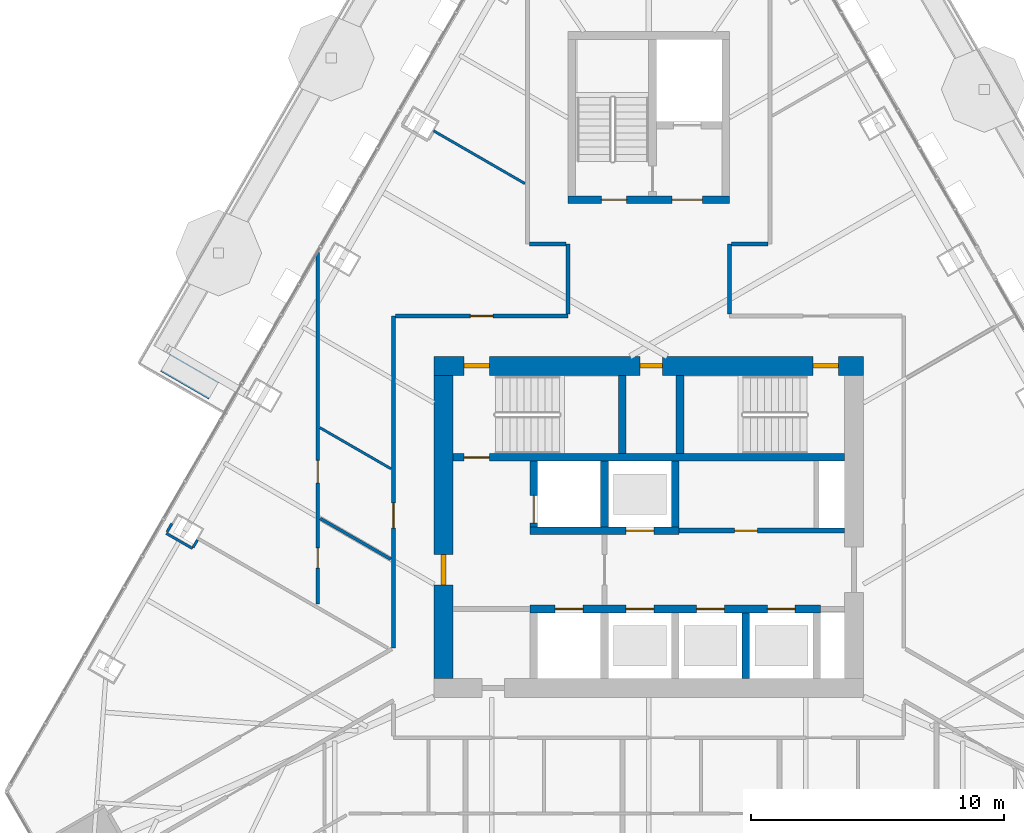
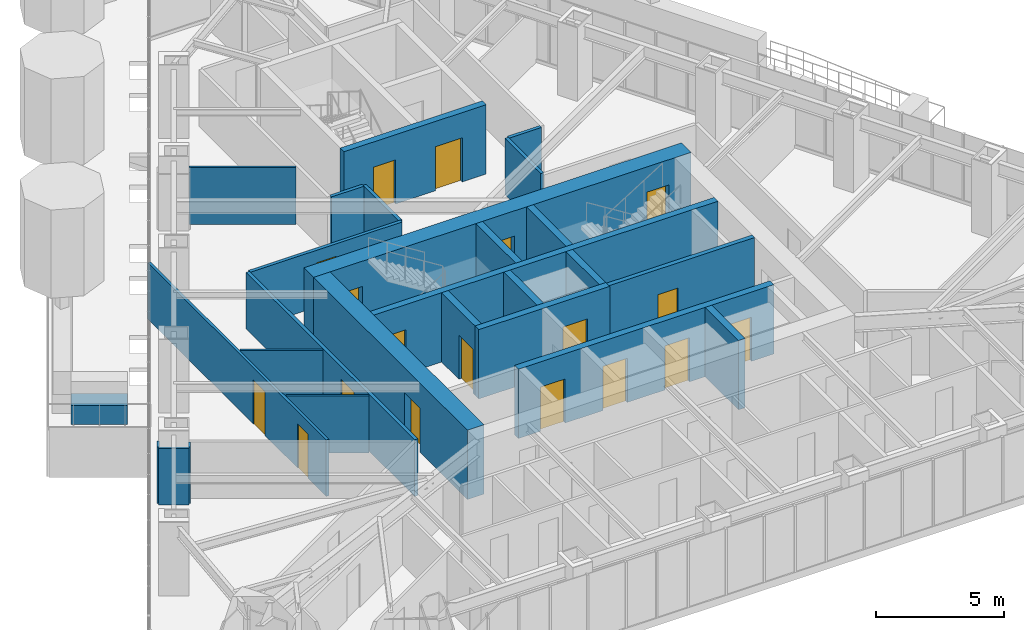
# One storey, part 17 of 22: 27 walls, 18 doors, 18 openings.
"""IFC4 building model written with IfcOpenShell, lengths in metres."""

from ifc_helpers import new_model, si_unit, direction, frame, frame_2d, origin, place, context, subcontext, project, spatial, rectangle, extrude, material, layer, layer_set, type_object, element, fill, save


model = new_model("IFC4")

# Units and contexts
model_context = context("Model", 3, precision=1e-05, world=origin(), true_north=direction((0.0, 1.0)))
body_context = subcontext(model_context, "Body", "Model", "MODEL_VIEW")
ifc_project = project(units=[si_unit("LENGTHUNIT", "METRE"), si_unit("AREAUNIT", "SQUARE_METRE"), si_unit("VOLUMEUNIT", "CUBIC_METRE"), si_unit("PLANEANGLEUNIT", "RADIAN"), si_unit("MASSUNIT", "GRAM", prefix="KILO")], contexts=[model_context])

# Site, building, storey
site_placement = place(None, origin())
site = spatial("IfcSite", under=ifc_project, at=site_placement, CompositionType="ELEMENT")
building_placement = place(site_placement, origin())
building = spatial("IfcBuilding", under=site, at=building_placement, Name="Firuza Gate Tower and Library", CompositionType="ELEMENT")
storey_placement = place(building_placement, frame((0.0, 0.0, 295.10009765625)))
storey = spatial("IfcBuildingStorey", under=building, at=storey_placement, Name="L71", CompositionType="ELEMENT", Elevation=295.10009765625)

# Wall, opening, door
ifc_material_1 = material(Name="Plasterboard on steel studs", Category="steel")
ifc_layer_1 = layer(ifc_material_1, 0.199951171875)
ifc_layer_set_1 = layer_set([ifc_layer_1], Name="Core partition 200 EI 120")
wall_type_1 = type_object("IfcWallType", Name="Core partition 200 EI 120", PredefinedType="PARTITIONING", material=ifc_layer_set_1)
wall_1_placement = place(storey_placement, frame((76.199951171875, 74.85009765625, 0.0), z_axis=(0.0, 0.0, 1.0), x_axis=(1.0, 0.0, 0.0)))
wall_1 = element("IfcWall", 1, at=wall_1_placement, inside=storey, type_object=wall_type_1, Name="Core partition L71 3", PredefinedType="PARTITIONING", context=body_context, shape_type="SweptSolid", body=[
    extrude(rectangle(XDim=6.550048828125, YDim=0.199951171875, at=frame_2d((3.27490234375, 0.0))), origin(), (0.0, 0.0, 1.0), 3.2998046875),
])
opening_1_placement = place(wall_1_placement, frame((2.199951171875, 0.0, 0.0)))
opening_1 = element("IfcOpeningElement", 2, at=opening_1_placement, cuts=wall_1, Name="Opening L71-K18", PredefinedType="OPENING", context=body_context, shape_type="SweptSolid", body=[
    extrude(rectangle(XDim=0.89990234375, YDim=2.10009765625, at=frame_2d((0.449951171875, 1.050048828125))), frame((0.0, 0.10986328125, 0.0), z_axis=(0.0, -1.0, 0.0), x_axis=(1.0, 0.0, 0.0)), (0.0, 0.0, 1.0), 0.219970703125),
])
ifc_material_2 = material(Name="Steel", Category="steel")
door_type_1 = type_object("IfcDoorType", Name="Fire door 900x2100 FD30S", OperationType="NOTDEFINED", PredefinedType="DOOR", material=ifc_material_2)
door_1_placement = place(opening_1_placement, origin())
door_1 = element("IfcDoor", 3, at=door_1_placement, inside=storey, type_object=door_type_1, Name="Door L71-K18", OperationType="SINGLE_SWING_LEFT", OverallHeight=2.10009765625, OverallWidth=0.89990234375, PredefinedType="DOOR", context=body_context, shape_type="SweptSolid", body=[
    extrude(rectangle(XDim=0.89990234375, YDim=2.10009765625, at=frame_2d((0.449951171875, 1.050048828125))), frame((0.0, 0.02490234375, 0.0), z_axis=(0.0, -1.0, 0.0), x_axis=(1.0, 0.0, 0.0)), (0.0, 0.0, 1.0), 0.050048828125),
])
fill(opening_1, door_1)

# Wall, openings, doors
ifc_material_3 = material(Name="Concrete C60/75", Category="concrete")
ifc_layer_2 = layer(ifc_material_3, 0.300048828125)
ifc_layer_set_2 = layer_set([ifc_layer_2], Name="Core wall 300 C60/75")
wall_type_2 = type_object("IfcWallType", Name="Core wall 300 C60/75", PredefinedType="SHEAR", material=ifc_layer_set_2)
wall_2_placement = place(storey_placement, frame((70.300048828125, 71.75, 0.0), z_axis=(0.0, 0.0, 1.0), x_axis=(1.0, 0.0, 0.0)))
wall_2 = element("IfcWall", 4, at=wall_2_placement, inside=storey, type_object=wall_type_2, Name="Core wall L71 5", PredefinedType="SHEAR", context=body_context, shape_type="SweptSolid", body=[
    extrude(rectangle(XDim=11.5, YDim=0.300048828125, at=frame_2d((5.75, 0.0))), origin(), (0.0, 0.0, 1.0), 3.2998046875),
])
opening_2_placement = place(wall_2_placement, frame((1.0, 0.0, 0.0)))
opening_2 = element("IfcOpeningElement", 5, at=opening_2_placement, cuts=wall_2, Name="Opening LD-FF1-L71", PredefinedType="OPENING", context=body_context, shape_type="SweptSolid", body=[
    extrude(rectangle(XDim=1.10009765625, YDim=2.10009765625, at=frame_2d((0.550048828125, 1.050048828125))), frame((0.0, 0.16015625, 0.0), z_axis=(0.0, -1.0, 0.0), x_axis=(1.0, 0.0, 0.0)), (0.0, 0.0, 1.0), 0.320068359375),
])
opening_3_placement = place(wall_2_placement, frame((3.800048828125, 0.0, 0.0)))
opening_3 = element("IfcOpeningElement", 6, at=opening_3_placement, cuts=wall_2, Name="Opening LD-HR1-L71", PredefinedType="OPENING", context=body_context, shape_type="SweptSolid", body=[
    extrude(rectangle(XDim=1.10009765625, YDim=2.10009765625, at=frame_2d((0.550048828125, 1.050048828125))), frame((0.0, 0.16015625, 0.0), z_axis=(0.0, -1.0, 0.0), x_axis=(1.0, 0.0, 0.0)), (0.0, 0.0, 1.0), 0.320068359375),
])
opening_4_placement = place(wall_2_placement, frame((6.60009765625, 0.0, 0.0)))
opening_4 = element("IfcOpeningElement", 7, at=opening_4_placement, cuts=wall_2, Name="Opening LD-HR2-L71", PredefinedType="OPENING", context=body_context, shape_type="SweptSolid", body=[
    extrude(rectangle(XDim=1.10009765625, YDim=2.10009765625, at=frame_2d((0.550048828125, 1.050048828125))), frame((0.0, 0.16015625, 0.0), z_axis=(0.0, -1.0, 0.0), x_axis=(1.0, 0.0, 0.0)), (0.0, 0.0, 1.0), 0.320068359375),
])
opening_5_placement = place(wall_2_placement, frame((9.39990234375, 0.0, 0.0)))
opening_5 = element("IfcOpeningElement", 8, at=opening_5_placement, cuts=wall_2, Name="Opening LD-HR3-L71", PredefinedType="OPENING", context=body_context, shape_type="SweptSolid", body=[
    extrude(rectangle(XDim=1.10009765625, YDim=2.10009765625, at=frame_2d((0.550048828125, 1.050048828125))), frame((0.0, 0.16015625, 0.0), z_axis=(0.0, -1.0, 0.0), x_axis=(1.0, 0.0, 0.0)), (0.0, 0.0, 1.0), 0.320068359375),
])
ifc_material_4 = material(Name="Stainless steel", Category="steel")
door_type_2 = type_object("IfcDoorType", Name="Lift landing door 1100x2100", OperationType="DOUBLE_DOOR_SLIDING", PredefinedType="DOOR", material=ifc_material_4)
door_2_placement = place(opening_2_placement, origin())
door_2 = element("IfcDoor", 9, at=door_2_placement, inside=storey, type_object=door_type_2, Name="Landing door FF1 L71", OperationType="DOUBLE_DOOR_SLIDING", OverallHeight=2.10009765625, OverallWidth=1.10009765625, PredefinedType="DOOR", context=body_context, shape_type="SweptSolid", body=[
    extrude(rectangle(XDim=1.10009765625, YDim=2.10009765625, at=frame_2d((0.550048828125, 1.050048828125))), frame((0.0, 0.02490234375, 0.0), z_axis=(0.0, -1.0, 0.0), x_axis=(1.0, 0.0, 0.0)), (0.0, 0.0, 1.0), 0.050048828125),
])
fill(opening_2, door_2)
door_3_placement = place(opening_3_placement, origin())
door_3 = element("IfcDoor", 10, at=door_3_placement, inside=storey, type_object=door_type_2, Name="Landing door HR1 L71", OperationType="DOUBLE_DOOR_SLIDING", OverallHeight=2.10009765625, OverallWidth=1.10009765625, PredefinedType="DOOR", context=body_context, shape_type="SweptSolid", body=[
    extrude(rectangle(XDim=1.10009765625, YDim=2.10009765625, at=frame_2d((0.550048828125, 1.050048828125))), frame((0.0, 0.02490234375, 0.0), z_axis=(0.0, -1.0, 0.0), x_axis=(1.0, 0.0, 0.0)), (0.0, 0.0, 1.0), 0.050048828125),
])
fill(opening_3, door_3)
door_4_placement = place(opening_4_placement, origin())
door_4 = element("IfcDoor", 11, at=door_4_placement, inside=storey, type_object=door_type_2, Name="Landing door HR2 L71", OperationType="DOUBLE_DOOR_SLIDING", OverallHeight=2.10009765625, OverallWidth=1.10009765625, PredefinedType="DOOR", context=body_context, shape_type="SweptSolid", body=[
    extrude(rectangle(XDim=1.10009765625, YDim=2.10009765625, at=frame_2d((0.550048828125, 1.050048828125))), frame((0.0, 0.02490234375, 0.0), z_axis=(0.0, -1.0, 0.0), x_axis=(1.0, 0.0, 0.0)), (0.0, 0.0, 1.0), 0.050048828125),
])
fill(opening_4, door_4)
door_5_placement = place(opening_5_placement, origin())
door_5 = element("IfcDoor", 12, at=door_5_placement, inside=storey, type_object=door_type_2, Name="Landing door HR3 L71", OperationType="DOUBLE_DOOR_SLIDING", OverallHeight=2.10009765625, OverallWidth=1.10009765625, PredefinedType="DOOR", context=body_context, shape_type="SweptSolid", body=[
    extrude(rectangle(XDim=1.10009765625, YDim=2.10009765625, at=frame_2d((0.550048828125, 1.050048828125))), frame((0.0, 0.02490234375, 0.0), z_axis=(0.0, -1.0, 0.0), x_axis=(1.0, 0.0, 0.0)), (0.0, 0.0, 1.0), 0.050048828125),
])
fill(opening_5, door_5)

# Wall, opening, door
wall_3_placement = place(storey_placement, frame((70.300048828125, 74.85009765625, 0.0), z_axis=(0.0, 0.0, 1.0), x_axis=(1.0, 0.0, 0.0)))
wall_3 = element("IfcWall", 13, at=wall_3_placement, inside=storey, type_object=wall_type_2, Name="Core wall L71 6", PredefinedType="SHEAR", context=body_context, shape_type="SweptSolid", body=[
    extrude(rectangle(XDim=5.89990234375, YDim=0.300048828125, at=frame_2d((2.949951171875, 0.0))), origin(), (0.0, 0.0, 1.0), 3.2998046875),
])
opening_6_placement = place(wall_3_placement, frame((3.800048828125, 0.0, 0.0)))
opening_6 = element("IfcOpeningElement", 14, at=opening_6_placement, cuts=wall_3, Name="Opening LD-HR4-L71", PredefinedType="OPENING", context=body_context, shape_type="SweptSolid", body=[
    extrude(rectangle(XDim=1.10009765625, YDim=2.10009765625, at=frame_2d((0.550048828125, 1.050048828125))), frame((0.0, 0.16015625, 0.0), z_axis=(0.0, -1.0, 0.0), x_axis=(1.0, 0.0, 0.0)), (0.0, 0.0, 1.0), 0.320068359375),
])
door_6_placement = place(opening_6_placement, origin())
door_6 = element("IfcDoor", 15, at=door_6_placement, inside=storey, type_object=door_type_2, Name="Landing door HR4 L71", OperationType="DOUBLE_DOOR_SLIDING", OverallHeight=2.10009765625, OverallWidth=1.10009765625, PredefinedType="DOOR", context=body_context, shape_type="SweptSolid", body=[
    extrude(rectangle(XDim=1.10009765625, YDim=2.10009765625, at=frame_2d((0.550048828125, 1.050048828125))), frame((0.0, 0.02490234375, 0.0), z_axis=(0.0, -1.0, 0.0), x_axis=(1.0, 0.0, 0.0)), (0.0, 0.0, 1.0), 0.050048828125),
])
fill(opening_6, door_6)

wall_4_placement = place(storey_placement, frame((70.449951171875, 75.0, 0.0), z_axis=(0.0, 0.0, 1.0), x_axis=(0.0, 1.0, 0.0)))
wall_4 = element("IfcWall", 16, at=wall_4_placement, inside=storey, type_object=wall_type_2, Name="Core wall L71 8", PredefinedType="SHEAR", context=body_context, shape_type="SweptSolid", body=[
    extrude(rectangle(XDim=2.60009765625, YDim=0.300048828125, at=frame_2d((1.300048828125, 0.0))), origin(), (0.0, 0.0, 1.0), 3.2998046875),
])
opening_7_placement = place(wall_4_placement, frame((0.14990234375, 0.0, 0.0)))
opening_7 = element("IfcOpeningElement", 17, at=opening_7_placement, cuts=wall_4, Name="Opening LD-FF2-L71", PredefinedType="OPENING", context=body_context, shape_type="SweptSolid", body=[
    extrude(rectangle(XDim=1.10009765625, YDim=2.10009765625, at=frame_2d((0.550048828125, 1.050048828125))), frame((0.0, 0.16015625, 0.0), z_axis=(0.0, -1.0, 0.0), x_axis=(1.0, 0.0, 0.0)), (0.0, 0.0, 1.0), 0.320068359375),
])
door_7_placement = place(opening_7_placement, origin())
door_7 = element("IfcDoor", 18, at=door_7_placement, inside=storey, type_object=door_type_2, Name="Landing door FF2 L71", OperationType="DOUBLE_DOOR_SLIDING", OverallHeight=2.10009765625, OverallWidth=1.10009765625, PredefinedType="DOOR", context=body_context, shape_type="SweptSolid", body=[
    extrude(rectangle(XDim=1.10009765625, YDim=2.10009765625, at=frame_2d((0.550048828125, 1.050048828125))), frame((0.0, 0.02490234375, 0.0), z_axis=(0.0, -1.0, 0.0), x_axis=(1.0, 0.0, 0.0)), (0.0, 0.0, 1.0), 0.050048828125),
])
fill(opening_7, door_7)

# Walls
for number, where, z_axis, x_axis, name in (
    (19, (73.25, 75.0, 0.0), (0.0, 0.0, 1.0), (0.0, 1.0, 0.0), "Core wall L71 10"),
    (20, (76.050048828125, 75.0, 0.0), (0.0, 0.0, 1.0), (0.0, 1.0, 0.0), "Core wall L71 12"),
    (21, (78.85009765625, 69.0, 0.0), (0.0, 0.0, 1.0), (0.0, 1.0, 0.0), "Core wall L71 13"),
):
    element("IfcWall", number, at=place(storey_placement, frame(where, z_axis=z_axis, x_axis=x_axis)), inside=storey, type_object=wall_type_2, Name=name, PredefinedType="SHEAR", context=body_context, shape_type="SweptSolid", body=[
        extrude(rectangle(XDim=2.60009765625, YDim=0.300048828125, at=frame_2d((1.300048828125, 0.0))), origin(), (0.0, 0.0, 1.0), 3.2998046875),
    ])

# Wall, opening, door
wall_5_placement = place(storey_placement, frame((67.25, 77.75, 0.0), z_axis=(0.0, 0.0, 1.0), x_axis=(1.0, 0.0, 0.0)))
wall_5 = element("IfcWall", 22, at=wall_5_placement, inside=storey, type_object=wall_type_2, Name="Core wall L71 15", PredefinedType="SHEAR", context=body_context, shape_type="SweptSolid", body=[
    extrude(rectangle(XDim=15.5, YDim=0.300048828125, at=frame_2d((7.75, 0.0))), origin(), (0.0, 0.0, 1.0), 3.2998046875),
])
opening_8_placement = place(wall_5_placement, frame((0.445068359375, 0.0, 0.0)))
opening_8 = element("IfcOpeningElement", 23, at=opening_8_placement, cuts=wall_5, Name="Opening L71-K08", PredefinedType="OPENING", context=body_context, shape_type="SweptSolid", body=[
    extrude(rectangle(XDim=1.0, YDim=2.10009765625, at=frame_2d((0.5, 1.050048828125))), frame((0.0, 0.16015625, 0.0), z_axis=(0.0, -1.0, 0.0), x_axis=(1.0, 0.0, 0.0)), (0.0, 0.0, 1.0), 0.320068359375),
])
ifc_material_5 = material(Name="Steel", Category="steel")
door_type_3 = type_object("IfcDoorType", Name="Fire door 1000x2100 FD90", OperationType="NOTDEFINED", PredefinedType="DOOR", material=ifc_material_5)
door_8_placement = place(opening_8_placement, origin())
door_8 = element("IfcDoor", 24, at=door_8_placement, inside=storey, type_object=door_type_3, Name="Door L71-K08", OperationType="SINGLE_SWING_LEFT", OverallHeight=2.10009765625, OverallWidth=1.0, PredefinedType="DOOR", context=body_context, shape_type="SweptSolid", body=[
    extrude(rectangle(XDim=1.0, YDim=2.10009765625, at=frame_2d((0.5, 1.050048828125))), frame((0.0, 0.02490234375, 0.0), z_axis=(0.0, -1.0, 0.0), x_axis=(1.0, 0.0, 0.0)), (0.0, 0.0, 1.0), 0.050048828125),
])
fill(opening_8, door_8)

# Walls
for number, where, z_axis, x_axis, name in (
    (25, (73.9599609375, 77.89990234375, 0.0), (0.0, 0.0, 1.0), (0.0, 1.0, 0.0), "Core wall L71 16"),
    (26, (76.239990234375, 77.89990234375, 0.0), (0.0, 0.0, 1.0), (0.0, 1.0, 0.0), "Core wall L71 17"),
):
    element("IfcWall", number, at=place(storey_placement, frame(where, z_axis=z_axis, x_axis=x_axis)), inside=storey, type_object=wall_type_2, Name=name, PredefinedType="SHEAR", context=body_context, shape_type="SweptSolid", body=[
        extrude(rectangle(XDim=3.10009765625, YDim=0.300048828125, at=frame_2d((1.550048828125, 0.0))), origin(), (0.0, 0.0, 1.0), 3.2998046875),
    ])

# Wall, openings, doors
wall_6_placement = place(storey_placement, frame((71.800048828125, 87.949951171875, 0.0), z_axis=(0.0, 0.0, 1.0), x_axis=(1.0, 0.0, 0.0)))
wall_6 = element("IfcWall", 27, at=wall_6_placement, inside=storey, type_object=wall_type_2, Name="Core wall L71 18", PredefinedType="SHEAR", context=body_context, shape_type="SweptSolid", body=[
    extrude(rectangle(XDim=6.39990234375, YDim=0.300048828125, at=frame_2d((3.199951171875, 0.0))), origin(), (0.0, 0.0, 1.0), 3.2998046875),
])
opening_9_placement = place(wall_6_placement, frame((1.324951171875, 0.0, 0.0)))
opening_9 = element("IfcOpeningElement", 28, at=opening_9_placement, cuts=wall_6, Name="Opening L71-K11", PredefinedType="OPENING", context=body_context, shape_type="SweptSolid", body=[
    extrude(rectangle(XDim=1.0, YDim=2.10009765625, at=frame_2d((0.5, 1.050048828125))), frame((0.0, 0.16015625, 0.0), z_axis=(0.0, -1.0, 0.0), x_axis=(1.0, 0.0, 0.0)), (0.0, 0.0, 1.0), 0.320068359375),
])
opening_10_placement = place(wall_6_placement, frame((4.125, 0.0, 0.0)))
opening_10 = element("IfcOpeningElement", 29, at=opening_10_placement, cuts=wall_6, Name="Opening L71-K13", PredefinedType="OPENING", context=body_context, shape_type="SweptSolid", body=[
    extrude(rectangle(XDim=1.199951171875, YDim=2.10009765625, at=frame_2d((0.60009765625, 1.050048828125))), frame((0.0, 0.16015625, 0.0), z_axis=(0.0, -1.0, 0.0), x_axis=(1.0, 0.0, 0.0)), (0.0, 0.0, 1.0), 0.320068359375),
])
door_9_placement = place(opening_9_placement, origin())
door_9 = element("IfcDoor", 30, at=door_9_placement, inside=storey, type_object=door_type_3, Name="Door L71-K11", OperationType="SINGLE_SWING_RIGHT", OverallHeight=2.10009765625, OverallWidth=1.0, PredefinedType="DOOR", context=body_context, shape_type="SweptSolid", body=[
    extrude(rectangle(XDim=1.0, YDim=2.10009765625, at=frame_2d((0.5, 1.050048828125))), frame((0.0, 0.02490234375, 0.0), z_axis=(0.0, -1.0, 0.0), x_axis=(1.0, 0.0, 0.0)), (0.0, 0.0, 1.0), 0.050048828125),
])
fill(opening_9, door_9)
ifc_material_6 = material(Name="Steel", Category="steel")
door_type_4 = type_object("IfcDoorType", Name="Fire door 1200x2100 FD30S", OperationType="NOTDEFINED", PredefinedType="DOOR", material=ifc_material_6)
door_10_placement = place(opening_10_placement, origin())
door_10 = element("IfcDoor", 31, at=door_10_placement, inside=storey, type_object=door_type_4, Name="Door L71-K13", OperationType="SINGLE_SWING_RIGHT", OverallHeight=2.10009765625, OverallWidth=1.199951171875, PredefinedType="DOOR", context=body_context, shape_type="SweptSolid", body=[
    extrude(rectangle(XDim=1.199951171875, YDim=2.10009765625, at=frame_2d((0.60009765625, 1.050048828125))), frame((0.0, 0.02490234375, 0.0), z_axis=(0.0, -1.0, 0.0), x_axis=(1.0, 0.0, 0.0)), (0.0, 0.0, 1.0), 0.050048828125),
])
fill(opening_10, door_10)

ifc_material_7 = material(Name="Concrete C60/75", Category="concrete")
ifc_layer_3 = layer(ifc_material_7, 0.75)
ifc_layer_set_3 = layer_set([ifc_layer_3], Name="Core wall 750 C60/75")
wall_type_3 = type_object("IfcWallType", Name="Core wall 750 C60/75", PredefinedType="SHEAR", material=ifc_layer_set_3)
wall_7_placement = place(storey_placement, frame((66.5, 81.375, 0.0), z_axis=(0.0, 0.0, 1.0), x_axis=(1.0, 0.0, 0.0)))
wall_7 = element("IfcWall", 32, at=wall_7_placement, inside=storey, type_object=wall_type_3, Name="Core wall L71 2", PredefinedType="SHEAR", context=body_context, shape_type="SweptSolid", body=[
    extrude(rectangle(XDim=17.0, YDim=0.75, at=frame_2d((8.5, 0.0))), origin(), (0.0, 0.0, 1.0), 3.2998046875),
])
opening_11_placement = place(wall_7_placement, frame((1.195068359375, 0.0, 0.0)))
opening_11 = element("IfcOpeningElement", 33, at=opening_11_placement, cuts=wall_7, Name="Opening L71-K09", PredefinedType="OPENING", context=body_context, shape_type="SweptSolid", body=[
    extrude(rectangle(XDim=1.0, YDim=2.10009765625, at=frame_2d((0.5, 1.050048828125))), frame((0.0, 0.385009765625, 0.0), z_axis=(0.0, -1.0, 0.0), x_axis=(1.0, 0.0, 0.0)), (0.0, 0.0, 1.0), 0.77001953125),
])
opening_12_placement = place(wall_7_placement, frame((15.0048828125, 0.0, 0.0)))
opening_12 = element("IfcOpeningElement", 34, at=opening_12_placement, cuts=wall_7, Name="Opening L71-K10", PredefinedType="OPENING", context=body_context, shape_type="SweptSolid", body=[
    extrude(rectangle(XDim=1.0, YDim=2.10009765625, at=frame_2d((0.5, 1.050048828125))), frame((0.0, 0.385009765625, 0.0), z_axis=(0.0, -1.0, 0.0), x_axis=(1.0, 0.0, 0.0)), (0.0, 0.0, 1.0), 0.77001953125),
])
opening_13_placement = place(wall_7_placement, frame((8.14990234375, 0.0, 0.0)))
opening_13 = element("IfcOpeningElement", 35, at=opening_13_placement, cuts=wall_7, Name="Opening L71-K19", PredefinedType="OPENING", context=body_context, shape_type="SweptSolid", body=[
    extrude(rectangle(XDim=0.89990234375, YDim=2.10009765625, at=frame_2d((0.449951171875, 1.050048828125))), frame((0.0, 0.385009765625, 0.0), z_axis=(0.0, -1.0, 0.0), x_axis=(1.0, 0.0, 0.0)), (0.0, 0.0, 1.0), 0.77001953125),
])
door_11_placement = place(opening_11_placement, origin())
door_11 = element("IfcDoor", 36, at=door_11_placement, inside=storey, type_object=door_type_3, Name="Door L71-K09", OperationType="SINGLE_SWING_RIGHT", OverallHeight=2.10009765625, OverallWidth=1.0, PredefinedType="DOOR", context=body_context, shape_type="SweptSolid", body=[
    extrude(rectangle(XDim=1.0, YDim=2.10009765625, at=frame_2d((0.5, 1.050048828125))), frame((0.0, 0.094970703125, 0.0), z_axis=(0.0, -1.0, 0.0), x_axis=(1.0, 0.0, 0.0)), (0.0, 0.0, 1.0), 0.18994140625),
])
fill(opening_11, door_11)
door_12_placement = place(opening_12_placement, origin())
door_12 = element("IfcDoor", 37, at=door_12_placement, inside=storey, type_object=door_type_3, Name="Door L71-K10", OperationType="SINGLE_SWING_LEFT", OverallHeight=2.10009765625, OverallWidth=1.0, PredefinedType="DOOR", context=body_context, shape_type="SweptSolid", body=[
    extrude(rectangle(XDim=1.0, YDim=2.10009765625, at=frame_2d((0.5, 1.050048828125))), frame((0.0, 0.094970703125, 0.0), z_axis=(0.0, -1.0, 0.0), x_axis=(1.0, 0.0, 0.0)), (0.0, 0.0, 1.0), 0.18994140625),
])
fill(opening_12, door_12)
door_13_placement = place(opening_13_placement, origin())
door_13 = element("IfcDoor", 38, at=door_13_placement, inside=storey, type_object=door_type_1, Name="Door L71-K19", OperationType="SINGLE_SWING_RIGHT", OverallHeight=2.10009765625, OverallWidth=0.89990234375, PredefinedType="DOOR", context=body_context, shape_type="SweptSolid", body=[
    extrude(rectangle(XDim=0.89990234375, YDim=2.10009765625, at=frame_2d((0.449951171875, 1.050048828125))), frame((0.0, 0.094970703125, 0.0), z_axis=(0.0, -1.0, 0.0), x_axis=(1.0, 0.0, 0.0)), (0.0, 0.0, 1.0), 0.18994140625),
])
fill(opening_13, door_13)

# Wall, opening, door
wall_8_placement = place(storey_placement, frame((66.875, 69.0, 0.0), z_axis=(0.0, 0.0, 1.0), x_axis=(0.0, 1.0, 0.0)))
wall_8 = element("IfcWall", 39, at=wall_8_placement, inside=storey, type_object=wall_type_3, Name="Core wall L71 3", PredefinedType="SHEAR", context=body_context, shape_type="SweptSolid", body=[
    extrude(rectangle(XDim=12.0, YDim=0.75, at=frame_2d((6.0, 0.0))), origin(), (0.0, 0.0, 1.0), 3.2998046875),
])
opening_14_placement = place(wall_8_placement, frame((3.699951171875, 0.0, 0.0)))
opening_14 = element("IfcOpeningElement", 40, at=opening_14_placement, cuts=wall_8, Name="Opening L71-K15", PredefinedType="OPENING", context=body_context, shape_type="SweptSolid", body=[
    extrude(rectangle(XDim=1.199951171875, YDim=2.10009765625, at=frame_2d((0.60009765625, 1.050048828125))), frame((0.0, 0.385009765625, 0.0), z_axis=(0.0, -1.0, 0.0), x_axis=(1.0, 0.0, 0.0)), (0.0, 0.0, 1.0), 0.77001953125),
])
ifc_material_8 = material(Name="Steel", Category="steel")
door_type_5 = type_object("IfcDoorType", Name="Fire door 1200x2100 FD90S", OperationType="NOTDEFINED", PredefinedType="DOOR", material=ifc_material_8)
door_14_placement = place(opening_14_placement, origin())
door_14 = element("IfcDoor", 41, at=door_14_placement, inside=storey, type_object=door_type_5, Name="Door L71-K15", OperationType="SINGLE_SWING_RIGHT", OverallHeight=2.10009765625, OverallWidth=1.199951171875, PredefinedType="DOOR", context=body_context, shape_type="SweptSolid", body=[
    extrude(rectangle(XDim=1.199951171875, YDim=2.10009765625, at=frame_2d((0.60009765625, 1.050048828125))), frame((0.0, 0.094970703125, 0.0), z_axis=(0.0, -1.0, 0.0), x_axis=(1.0, 0.0, 0.0)), (0.0, 0.0, 1.0), 0.18994140625),
])
fill(opening_14, door_14)

ifc_material_9 = material(Name="Gypsum board partition")
ifc_layer_4 = layer(ifc_material_9, 0.14990234375)
ifc_layer_set_4 = layer_set([ifc_layer_4], Name="Corridor wall 150 double board on steel studs")
wall_type_4 = type_object("IfcWallType", Name="Corridor wall 150 double board on steel studs", PredefinedType="PARTITIONING", material=ifc_layer_set_4)
wall_9_placement = place(storey_placement, frame((64.97705078125, 83.35009765625, 0.0), z_axis=(0.0, 0.0, 1.0), x_axis=(1.0, 0.0, 0.0)))
wall_9 = element("IfcWall", 42, at=wall_9_placement, inside=storey, type_object=wall_type_4, Name="f:L71:w002", PredefinedType="PARTITIONING", context=body_context, shape_type="SweptSolid", body=[
    extrude(rectangle(XDim=6.822998046875, YDim=0.14990234375, at=frame_2d((3.41162109375, 0.0))), origin(), (0.0, 0.0, 1.0), 2.699951171875),
])
opening_15_placement = place(wall_9_placement, frame((2.96142578125, 0.0, 0.0)))
opening_15 = element("IfcOpeningElement", 43, at=opening_15_placement, cuts=wall_9, Name="Opening L71-12", PredefinedType="OPENING", context=body_context, shape_type="SweptSolid", body=[
    extrude(rectangle(XDim=0.89990234375, YDim=2.10009765625, at=frame_2d((0.449951171875, 1.050048828125))), frame((0.0, 0.0849609375, 0.0), z_axis=(0.0, -1.0, 0.0), x_axis=(1.0, 0.0, 0.0)), (0.0, 0.0, 1.0), 0.169921875),
])
ifc_material_10 = material(Name="Steel door and timber leaf", Category="steel")
door_type_6 = type_object("IfcDoorType", Name="Fire door 900 x 2100 steel frame, timber leaf", OperationType="NOTDEFINED", PredefinedType="DOOR", material=ifc_material_10)
door_15_placement = place(opening_15_placement, origin())
door_15 = element("IfcDoor", 44, at=door_15_placement, inside=storey, type_object=door_type_6, Name="f:L71:d012", OperationType="SINGLE_SWING_RIGHT", OverallHeight=2.10009765625, OverallWidth=0.89990234375, PredefinedType="DOOR", context=body_context, shape_type="SweptSolid", body=[
    extrude(rectangle(XDim=0.89990234375, YDim=2.10009765625, at=frame_2d((0.449951171875, 1.050048828125))), frame((0.0, 0.02490234375, 0.0), z_axis=(0.0, -1.0, 0.0), x_axis=(1.0, 0.0, 0.0)), (0.0, 0.0, 1.0), 0.050048828125),
])
fill(opening_15, door_15)

# Walls
wall_10_placement = place(storey_placement, frame((70.277099609375, 86.199951171875, 0.0), z_axis=(0.0, 0.0, 1.0), x_axis=(1.0, 0.0, 0.0)))
element("IfcWall", 45, at=wall_10_placement, inside=storey, type_object=wall_type_4, Name="f:L71:w004", PredefinedType="PARTITIONING", context=body_context, shape_type="SweptSolid", body=[
    extrude(rectangle(XDim=1.44775390625, YDim=0.14990234375, at=frame_2d((0.723876953125, 0.0))), origin(), (0.0, 0.0, 1.0), 2.699951171875),
])
wall_11_placement = place(storey_placement, frame((78.27490234375, 86.199951171875, 0.0), z_axis=(0.0, 0.0, 1.0), x_axis=(1.0, 0.0, 0.0)))
element("IfcWall", 46, at=wall_11_placement, inside=storey, type_object=wall_type_4, Name="f:L71:w005", PredefinedType="PARTITIONING", context=body_context, shape_type="SweptSolid", body=[
    extrude(rectangle(XDim=1.44970703125, YDim=0.14990234375, at=frame_2d((0.724853515625, 0.0))), origin(), (0.0, 0.0, 1.0), 2.699951171875),
])
for number, where, z_axis, x_axis, name in (
    (47, (78.199951171875, 83.425048828125, 0.0), (0.0, 0.0, 1.0), (0.0, 1.0, 0.0), "f:L71:w031"),
    (48, (71.800048828125, 83.425048828125, 0.0), (0.0, 0.0, 1.0), (0.0, 1.0, 0.0), "f:L71:w038"),
):
    element("IfcWall", number, at=place(storey_placement, frame(where, z_axis=z_axis, x_axis=x_axis)), inside=storey, type_object=wall_type_4, Name=name, PredefinedType="PARTITIONING", context=body_context, shape_type="SweptSolid", body=[
        extrude(rectangle(XDim=2.77490234375, YDim=0.14990234375, at=frame_2d((1.387451171875, 0.0))), origin(), (0.0, 0.0, 1.0), 2.697021484375),
    ])

# Wall, opening, door
wall_12_placement = place(storey_placement, frame((64.89990234375, 70.2080078125, 0.0), z_axis=(0.0, 0.0, 1.0), x_axis=(0.0, 1.0, 0.0)))
wall_12 = element("IfcWall", 49, at=wall_12_placement, inside=storey, type_object=wall_type_4, Name="f:L71:w044", PredefinedType="PARTITIONING", context=body_context, shape_type="SweptSolid", body=[
    extrude(rectangle(XDim=13.139892578125, YDim=0.14990234375, at=frame_2d((6.56982421875, 0.0))), origin(), (0.0, 0.0, 1.0), 2.699951171875),
])
opening_16_placement = place(wall_12_placement, frame((4.74267578125, 0.0, 0.0)))
opening_16 = element("IfcOpeningElement", 50, at=opening_16_placement, cuts=wall_12, Name="Opening L71-20", PredefinedType="OPENING", context=body_context, shape_type="SweptSolid", body=[
    extrude(rectangle(XDim=1.0, YDim=2.10009765625, at=frame_2d((0.5, 1.050048828125))), frame((0.0, 0.0849609375, 0.0), z_axis=(0.0, -1.0, 0.0), x_axis=(1.0, 0.0, 0.0)), (0.0, 0.0, 1.0), 0.169921875),
])
ifc_material_11 = material(Name="Steel door and timber leaf", Category="steel")
door_type_7 = type_object("IfcDoorType", Name="Fire door 1000 x 2100 steel frame, timber leaf", OperationType="NOTDEFINED", PredefinedType="DOOR", material=ifc_material_11)
door_16_placement = place(opening_16_placement, origin())
door_16 = element("IfcDoor", 51, at=door_16_placement, inside=storey, type_object=door_type_7, Name="f:L71:d020", OperationType="SINGLE_SWING_RIGHT", OverallHeight=2.10009765625, OverallWidth=1.0, PredefinedType="DOOR", context=body_context, shape_type="SweptSolid", body=[
    extrude(rectangle(XDim=1.0, YDim=2.10009765625, at=frame_2d((0.5, 1.050048828125))), frame((0.0, 0.02490234375, 0.0), z_axis=(0.0, -1.0, 0.0), x_axis=(1.0, 0.0, 0.0)), (0.0, 0.0, 1.0), 0.050048828125),
])
fill(opening_16, door_16)

# Walls
ifc_material_12 = material(Name="Gypsum board partition")
ifc_layer_5 = layer(ifc_material_12, 0.10009765625)
ifc_layer_set_5 = layer_set([ifc_layer_5], Name="Partition 100 gypsum board on steel studs")
wall_type_5 = type_object("IfcWallType", Name="Partition 100 gypsum board on steel studs", PredefinedType="PARTITIONING", material=ifc_layer_set_5)
wall_13_placement = place(storey_placement, frame((56.96630859375, 74.188720703125, 0.0), z_axis=(0.0, 0.0, 1.0), x_axis=(0.499930013145, 0.866065806944, 0.0)))
element("IfcWall", 52, at=wall_13_placement, inside=storey, type_object=wall_type_5, Name="f:L71:w019", PredefinedType="PARTITIONING", context=body_context, shape_type="SweptSolid", body=[
    extrude(rectangle(XDim=0.33935546875, YDim=0.10009765625, at=frame_2d((0.169677734375, 0.0))), origin(), (0.0, 0.0, 1.0), 2.699951171875),
])
wall_14_placement = place(storey_placement, frame((55.930419921875, 74.794189453125, 0.0), z_axis=(0.0, 0.0, 1.0), x_axis=(0.500080938595, 0.865978668822, 0.0)))
element("IfcWall", 53, at=wall_14_placement, inside=storey, type_object=wall_type_5, Name="f:L71:w021", PredefinedType="PARTITIONING", context=body_context, shape_type="SweptSolid", body=[
    extrude(rectangle(XDim=0.39306640625, YDim=0.10009765625, at=frame_2d((0.196533203125, 0.0))), origin(), (0.0, 0.0, 1.0), 2.699951171875),
])
wall_15_placement = place(storey_placement, frame((70.09912109375, 88.591552734375, 0.0), z_axis=(0.0, 0.0, 1.0), x_axis=(-0.866045268016, 0.499965592563, 0.0)))
element("IfcWall", 54, at=wall_15_placement, inside=storey, type_object=wall_type_5, Name="f:L71:w050", PredefinedType="PARTITIONING", context=body_context, shape_type="SweptSolid", body=[
    extrude(rectangle(XDim=4.172119140625, YDim=0.10009765625, at=frame_2d((2.0859375, 0.0))), origin(), (0.0, 0.0, 1.0), 2.699951171875),
])
wall_16_placement = place(storey_placement, frame((64.798828125, 77.302001953125, 0.0), z_axis=(0.0, 0.0, 1.0), x_axis=(-0.866000336211, 0.500043415797, 0.0)))
element("IfcWall", 55, at=wall_16_placement, inside=storey, type_object=wall_type_5, Name="f:L71:w054", PredefinedType="PARTITIONING", context=body_context, shape_type="SweptSolid", body=[
    extrude(rectangle(XDim=3.248291015625, YDim=0.10009765625, at=frame_2d((1.6240234375, 0.0))), origin(), (0.0, 0.0, 1.0), 2.699951171875),
])
wall_17_placement = place(storey_placement, frame((56.9404296875, 74.1455078125, 0.0), z_axis=(0.0, 0.0, 1.0), x_axis=(-0.86611778647, 0.499839954345, 0.0)))
element("IfcWall", 56, at=wall_17_placement, inside=storey, type_object=wall_type_5, Name="f:L71:w059", PredefinedType="PARTITIONING", context=body_context, shape_type="SweptSolid", body=[
    extrude(rectangle(XDim=1.19921875, YDim=0.10009765625, at=frame_2d((0.599609375, 0.0))), origin(), (0.0, 0.0, 1.0), 2.699951171875),
])
ifc_material_13 = material(Name="Concrete C40/50", Category="concrete")
ifc_layer_6 = layer(ifc_material_13, 0.800048828125)
ifc_layer_set_6 = layer_set([ifc_layer_6], Name="Planter wall 800")
wall_type_6 = type_object("IfcWallType", Name="Planter wall 800", PredefinedType="SOLIDWALL", material=ifc_layer_set_6)
wall_18_placement = place(storey_placement, frame((55.8779296875, 81.50439453125, 0.0), z_axis=(0.0, 0.0, 1.0), x_axis=(0.866008176907, -0.50002983664, 0.0)))
element("IfcWall", 57, at=wall_18_placement, inside=storey, type_object=wall_type_6, Name="PLANTER L71 5", PredefinedType="SOLIDWALL", context=body_context, shape_type="SweptSolid", body=[
    extrude(rectangle(XDim=2.199951171875, YDim=0.800048828125, at=frame_2d((1.10009765625, 0.0))), origin(), (0.0, 0.0, 1.0), 0.89990234375),
])

# Wall, openings, doors
ifc_material_14 = material(Name="Gypsum board partition")
ifc_layer_7 = layer(ifc_material_14, 0.1201171875)
ifc_layer_set_7 = layer_set([ifc_layer_7], Name="Wet-area partition 120 moisture-resistant board")
wall_type_7 = type_object("IfcWallType", Name="Wet-area partition 120 moisture-resistant board", PredefinedType="PARTITIONING", material=ifc_layer_set_7)
wall_19_placement = place(storey_placement, frame((61.89990234375, 85.85498046875, 0.0), z_axis=(0.0, 0.0, 1.0), x_axis=(0.0, -1.0, 0.0)))
wall_19 = element("IfcWall", 58, at=wall_19_placement, inside=storey, type_object=wall_type_7, Name="f:L71:w046", PredefinedType="PARTITIONING", context=body_context, shape_type="SweptSolid", body=[
    extrude(rectangle(XDim=13.9150390625, YDim=0.1201171875, at=frame_2d((6.95751953125, 0.0))), origin(), (0.0, 0.0, 1.0), 2.68798828125),
])
opening_17_placement = place(wall_19_placement, frame((8.22412109375, 0.0, 0.0)))
opening_17 = element("IfcOpeningElement", 59, at=opening_17_placement, cuts=wall_19, Name="Opening L71-22", PredefinedType="OPENING", context=body_context, shape_type="SweptSolid", body=[
    extrude(rectangle(XDim=0.89990234375, YDim=2.10009765625, at=frame_2d((0.449951171875, 1.050048828125))), frame((0.0, 0.070068359375, 0.0), z_axis=(0.0, -1.0, 0.0), x_axis=(1.0, 0.0, 0.0)), (0.0, 0.0, 1.0), 0.14013671875),
])
opening_18_placement = place(wall_19_placement, frame((11.6904296875, 0.0, 0.0)))
opening_18 = element("IfcOpeningElement", 60, at=opening_18_placement, cuts=wall_19, Name="Opening L71-23", PredefinedType="OPENING", context=body_context, shape_type="SweptSolid", body=[
    extrude(rectangle(XDim=0.800048828125, YDim=2.10009765625, at=frame_2d((0.39990234375, 1.050048828125))), frame((0.0, 0.070068359375, 0.0), z_axis=(0.0, -1.0, 0.0), x_axis=(1.0, 0.0, 0.0)), (0.0, 0.0, 1.0), 0.14013671875),
])
ifc_material_15 = material(Name="Timber door", Category="wood")
door_type_8 = type_object("IfcDoorType", Name="Door 800 x 2100 timber leaf", OperationType="NOTDEFINED", PredefinedType="DOOR", material=ifc_material_15)
door_17_placement = place(opening_18_placement, origin())
door_17 = element("IfcDoor", 61, at=door_17_placement, inside=storey, type_object=door_type_8, Name="f:L71:d023", OperationType="SINGLE_SWING_RIGHT", OverallHeight=2.10009765625, OverallWidth=0.800048828125, PredefinedType="DOOR", context=body_context, shape_type="SweptSolid", body=[
    extrude(rectangle(XDim=0.800048828125, YDim=2.10009765625, at=frame_2d((0.39990234375, 1.050048828125))), frame((0.0, 0.02490234375, 0.0), z_axis=(0.0, -1.0, 0.0), x_axis=(1.0, 0.0, 0.0)), (0.0, 0.0, 1.0), 0.050048828125),
])
fill(opening_18, door_17)
ifc_material_16 = material(Name="Timber door", Category="wood")
door_type_9 = type_object("IfcDoorType", Name="Door 900 x 2100 timber leaf", OperationType="NOTDEFINED", PredefinedType="DOOR", material=ifc_material_16)
door_18_placement = place(opening_17_placement, origin())
door_18 = element("IfcDoor", 62, at=door_18_placement, inside=storey, type_object=door_type_9, Name="f:L71:d022", OperationType="SINGLE_SWING_RIGHT", OverallHeight=2.10009765625, OverallWidth=0.89990234375, PredefinedType="DOOR", context=body_context, shape_type="SweptSolid", body=[
    extrude(rectangle(XDim=0.89990234375, YDim=2.10009765625, at=frame_2d((0.449951171875, 1.050048828125))), frame((0.0, 0.02490234375, 0.0), z_axis=(0.0, -1.0, 0.0), x_axis=(1.0, 0.0, 0.0)), (0.0, 0.0, 1.0), 0.050048828125),
])
fill(opening_17, door_18)

# Wall
wall_20_placement = place(storey_placement, frame((64.79052734375, 73.720458984375, 0.0), z_axis=(0.0, 0.0, 1.0), x_axis=(-0.866033195618, 0.499986503906, 0.0)))
element("IfcWall", 63, at=wall_20_placement, inside=storey, type_object=wall_type_7, Name="f:L71:w057", PredefinedType="PARTITIONING", context=body_context, shape_type="SweptSolid", body=[
    extrude(rectangle(XDim=3.22802734375, YDim=0.1201171875, at=frame_2d((1.614013671875, 0.0))), origin(), (0.0, 0.0, 1.0), 2.699951171875),
])

save(model, "model.ifc")
